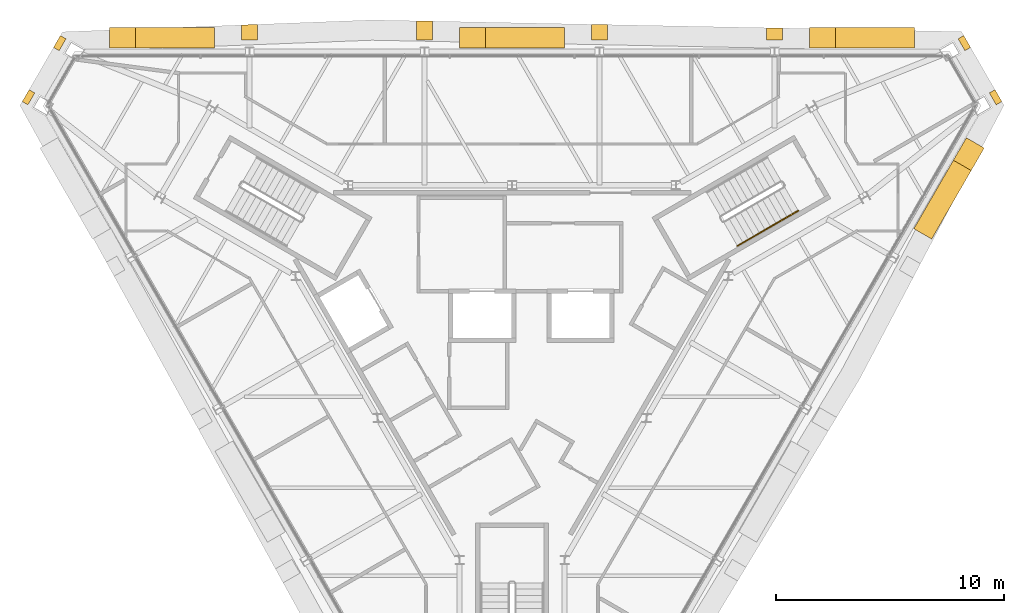
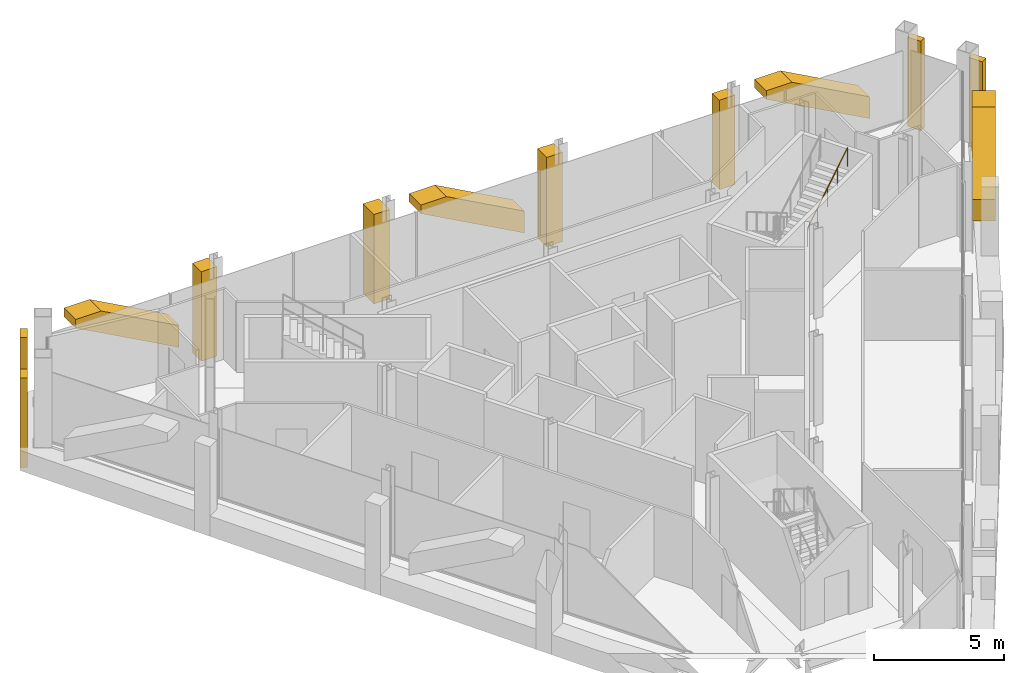
# One storey, part 13 of 13: 12 coverings, 1 railing.
"""IFC4 building model written with IfcOpenShell, lengths in metres."""

from ifc_helpers import new_model, si_unit, direction, frame, origin, origin_2d, place, context, subcontext, project, spatial, polyline, circle, outline, extrude, material, layer, layer_set, type_object, element, save


model = new_model("IFC4")

# Units and contexts
model_context = context("Model", 3, precision=1e-05, world=origin(), true_north=direction((0.0, 1.0)))
body_context = subcontext(model_context, "Body", "Model", "MODEL_VIEW")
ifc_project = project(units=[si_unit("LENGTHUNIT", "METRE"), si_unit("AREAUNIT", "SQUARE_METRE"), si_unit("VOLUMEUNIT", "CUBIC_METRE"), si_unit("PLANEANGLEUNIT", "RADIAN"), si_unit("MASSUNIT", "GRAM", prefix="KILO")], contexts=[model_context])

# Site, building, storey
site_placement = place(None, origin())
site = spatial("IfcSite", under=ifc_project, at=site_placement, CompositionType="ELEMENT")
building_placement = place(site_placement, origin())
building = spatial("IfcBuilding", under=site, at=building_placement, Name="Verrane Prism Tower", CompositionType="ELEMENT")
storey_placement = place(building_placement, frame((0.0, 0.0, 325.199951171875)))
storey = spatial("IfcBuildingStorey", under=building, at=storey_placement, Name="L82", CompositionType="ELEMENT", Elevation=325.199951171875)

# Railing
ifc_material_1 = material(Name="Steel A36 tube", Category="steel")
railing_type = type_object("IfcRailingType", Name="Stair handrail 900 steel tube", PredefinedType="HANDRAIL", material=ifc_material_1)
railing_placement = place(storey_placement, frame((9.872314453125, 4.140869140625, 2.275146484375)))
element("IfcRailing", 1, at=railing_placement, inside=storey, type_object=railing_type, Name="Stair 1 handrail", PredefinedType="HANDRAIL", context=body_context, shape_type="SweptSolid", body=[
    extrude(circle(Radius=0.02392578125, at=origin_2d()), frame((0.0, 0.0, 0.8759765625), z_axis=(0.734390191396, 0.42403051051, 0.529970917068), x_axis=(-0.500026652407, 0.866010015463, 0.0)), (0.0, 0.0, 1.0), 3.6318359375),
    extrude(circle(Radius=0.02099609375, at=origin_2d()), origin(), (0.0, 0.0, 1.0), 0.851806640625),
    extrude(circle(Radius=0.02099609375, at=origin_2d()), frame((0.666748046875, 0.385009765625, 0.481201171875)), (0.0, 0.0, 1.0), 0.851806640625),
    extrude(circle(Radius=0.02099609375, at=origin_2d()), frame((1.33349609375, 0.77001953125, 0.96240234375)), (0.0, 0.0, 1.0), 0.851806640625),
    extrude(circle(Radius=0.02099609375, at=origin_2d()), frame((2.00048828125, 1.155029296875, 1.443603515625)), (0.0, 0.0, 1.0), 0.851806640625),
    extrude(circle(Radius=0.02099609375, at=origin_2d()), frame((2.667236328125, 1.5400390625, 1.9248046875)), (0.0, 0.0, 1.0), 0.851806640625),
])

# Coverings
ifc_material_2 = material(Name="Warm limestone cladding", Category="masonry")
ifc_layer = layer(ifc_material_2, 0.89990234375)
ifc_layer_set = layer_set([ifc_layer], Name="Stone brace fin 900")
covering_type_1 = type_object("IfcCoveringType", Name="Stone brace fin 900", PredefinedType="CLADDING", material=ifc_layer_set)
for number, where, z_axis, x_axis, name in (
    (2, (17.638671875, 13.25, 0.326904296875), (0.0, 0.0, 1.0), (-1.0, 0.0, 0.0), "Stone brace fin N1 L82"),
    (3, (2.30078125, 13.25, 0.326904296875), (0.0, 0.0, 1.0), (-1.0, 0.0, 0.0), "Stone brace fin N3 L82"),
    (4, (-13.037109375, 13.25, 0.326904296875), (0.0, 0.0, 1.0), (-1.0, 0.0, 0.0), "Stone brace fin N5 L82"),
    (5, (17.993408203125, 4.66552734375, 0.326904296875), (0.0, 0.0, 1.0), (0.5000194552, 0.866014171028, 0.0), "Stone brace fin SE5 L82"),
):
    element("IfcCovering", number, at=place(storey_placement, frame(where, z_axis=z_axis, x_axis=x_axis)), inside=storey, type_object=covering_type_1, Name=name, PredefinedType="CLADDING", context=body_context, shape_type="SweptSolid", body=[
        extrude(outline(polyline([(4.601318359375, 2.923095703125), (3.463623046875, 2.923095703125), (0.0, 1.026123046875), (0.0, 0.0), (4.601318359375, 2.52001953125), (4.601318359375, 2.923095703125)])), frame((0.0, 0.449951171875, 0.0), z_axis=(0.0, -1.0, 0.0), x_axis=(1.0, 0.0, 0.0)), (0.0, 0.0, 1.0), 0.89990234375),
    ])
ifc_material_3 = material(Name="Warm limestone cladding", Category="masonry")
covering_type_2 = type_object("IfcCoveringType", Name="Stone corner pier 600", PredefinedType="CLADDING", material=ifc_material_3)
covering_1_placement = place(storey_placement, frame((0.0, 0.0, -0.949951171875)))
element("IfcCovering", 6, at=covering_1_placement, inside=storey, type_object=covering_type_2, Name="Stone pier MC-NE.a L82", PredefinedType="CLADDING", context=body_context, shape_type="SweptSolid", body=[
    extrude(outline(polyline([(20.910888671875, 10.838623046875), (21.06103515625, 10.578857421875), (21.2109375, 10.319091796875), (21.457763671875, 10.46142578125), (21.15771484375, 10.98095703125), (20.910888671875, 10.838623046875)])), origin(), (0.0, 0.0, 1.0), 4.199951171875),
])
covering_2_placement = place(storey_placement, frame((0.0, 0.0, -0.949951171875)))
element("IfcCovering", 7, at=covering_2_placement, inside=storey, type_object=covering_type_2, Name="Stone pier MC-NE.b L82", PredefinedType="CLADDING", context=body_context, shape_type="SweptSolid", body=[
    extrude(outline(polyline([(19.5419921875, 13.209716796875), (19.5576171875, 13.182861328125), (19.842041015625, 12.690185546875), (20.088623046875, 12.83251953125), (19.788818359375, 13.352294921875), (19.5419921875, 13.209716796875)])), origin(), (0.0, 0.0, 1.0), 4.199951171875),
])
covering_3_placement = place(storey_placement, frame((0.0, 0.0, -0.949951171875)))
element("IfcCovering", 8, at=covering_3_placement, inside=storey, type_object=covering_type_2, Name="Stone pier MC-NW.a L82", PredefinedType="CLADDING", context=body_context, shape_type="SweptSolid", body=[
    extrude(outline(polyline([(-19.842041015625, 12.690185546875), (-19.5419921875, 13.209716796875), (-19.788818359375, 13.352294921875), (-20.088623046875, 12.83251953125), (-19.842041015625, 12.690185546875)])), origin(), (0.0, 0.0, 1.0), 4.199951171875),
])
covering_4_placement = place(storey_placement, frame((0.0, 0.0, -0.949951171875)))
element("IfcCovering", 9, at=covering_4_placement, inside=storey, type_object=covering_type_2, Name="Stone pier MC-NW.b L82", PredefinedType="CLADDING", context=body_context, shape_type="SweptSolid", body=[
    extrude(outline(polyline([(-21.2109375, 10.319091796875), (-20.910888671875, 10.838623046875), (-21.15771484375, 10.98095703125), (-21.457763671875, 10.46142578125), (-21.2109375, 10.319091796875)])), origin(), (0.0, 0.0, 1.0), 4.199951171875),
])
ifc_material_4 = material(Name="Warm limestone cladding", Category="masonry")
covering_type_3 = type_object("IfcCoveringType", Name="Stone pier 700", PredefinedType="CLADDING", material=ifc_material_4)
covering_5_placement = place(storey_placement, frame((0.0, 0.0, -0.949951171875)))
element("IfcCovering", 10, at=covering_5_placement, inside=storey, type_object=covering_type_3, Name="Stone pier PC-N1 L82", PredefinedType="CLADDING", context=body_context, shape_type="SweptSolid", body=[
    extrude(outline(polyline([(11.1533203125, 13.14990234375), (11.853515625, 13.14990234375), (11.853515625, 13.6796875), (11.1533203125, 13.693359375), (11.1533203125, 13.14990234375)])), origin(), (0.0, 0.0, 1.0), 4.199951171875),
])
covering_6_placement = place(storey_placement, frame((0.0, 0.0, -0.949951171875)))
element("IfcCovering", 11, at=covering_6_placement, inside=storey, type_object=covering_type_3, Name="Stone pier PC-N2 L82", PredefinedType="CLADDING", context=body_context, shape_type="SweptSolid", body=[
    extrude(outline(polyline([(3.484619140625, 13.14990234375), (4.1845703125, 13.14990234375), (4.1845703125, 13.8310546875), (3.484619140625, 13.844970703125), (3.484619140625, 13.14990234375)])), origin(), (0.0, 0.0, 1.0), 4.199951171875),
])
covering_7_placement = place(storey_placement, frame((0.0, 0.0, -0.949951171875)))
element("IfcCovering", 12, at=covering_7_placement, inside=storey, type_object=covering_type_3, Name="Stone pier PC-N3 L82", PredefinedType="CLADDING", context=body_context, shape_type="SweptSolid", body=[
    extrude(outline(polyline([(-4.1845703125, 13.14990234375), (-3.484619140625, 13.14990234375), (-3.484619140625, 13.982666015625), (-4.1845703125, 13.996337890625), (-4.1845703125, 13.14990234375)])), origin(), (0.0, 0.0, 1.0), 4.199951171875),
])
covering_8_placement = place(storey_placement, frame((0.0, 0.0, -0.949951171875)))
element("IfcCovering", 13, at=covering_8_placement, inside=storey, type_object=covering_type_3, Name="Stone pier PC-N4 L82", PredefinedType="CLADDING", context=body_context, shape_type="SweptSolid", body=[
    extrude(outline(polyline([(-11.853515625, 13.14990234375), (-11.1533203125, 13.14990234375), (-11.1533203125, 13.843017578125), (-11.853515625, 13.816162109375), (-11.853515625, 13.14990234375)])), origin(), (0.0, 0.0, 1.0), 4.199951171875),
])

save(model, "model.ifc")
